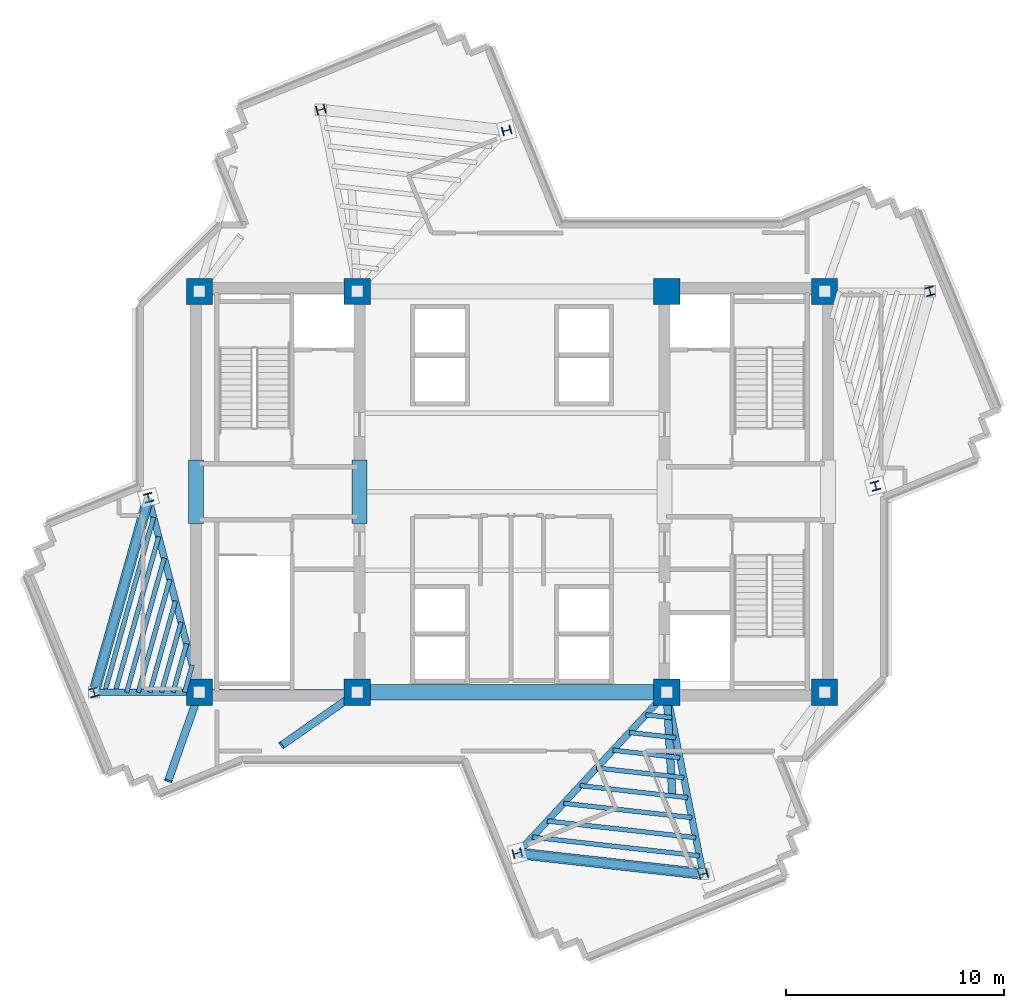
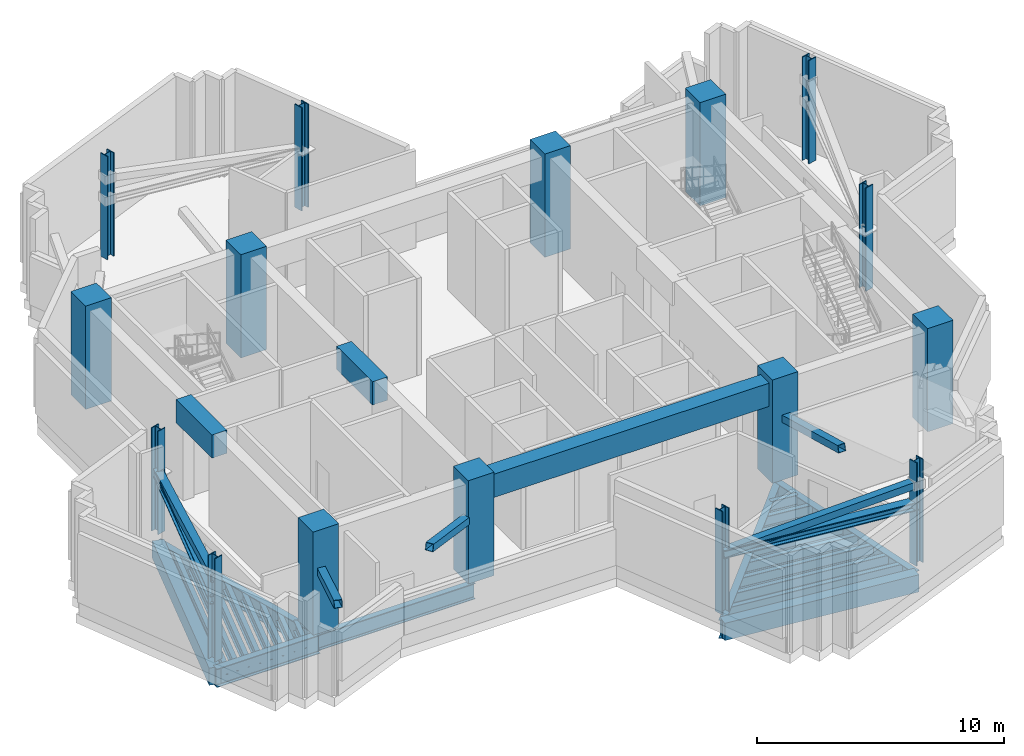
# One storey, part 1 of 11: 26 beams, 16 columns, 7 members.
"""IFC4 building model written with IfcOpenShell, lengths in metres."""

from ifc_helpers import new_model, si_unit, direction, frame, origin, origin_2d, place, context, subcontext, project, spatial, rectangle, hollow_rectangle, i_section, extrude, source, transform, mapped, material, material_profile, profile_set, type_object, element, save


model = new_model("IFC4")

# Units and contexts
model_context = context("Model", 3, precision=1e-05, world=origin(), true_north=direction((0.0, 1.0)))
body_context = subcontext(model_context, "Body", "Model", "MODEL_VIEW")
ifc_project = project(units=[si_unit("LENGTHUNIT", "METRE"), si_unit("AREAUNIT", "SQUARE_METRE"), si_unit("VOLUMEUNIT", "CUBIC_METRE"), si_unit("PLANEANGLEUNIT", "RADIAN"), si_unit("MASSUNIT", "GRAM", prefix="KILO")], contexts=[model_context])

# Site, building, storey
site_placement = place(None, origin())
site = spatial("IfcSite", under=ifc_project, at=site_placement, CompositionType="ELEMENT")
building_placement = place(site_placement, origin())
building = spatial("IfcBuilding", under=site, at=building_placement, Name="Zahravan Cultural Tower", CompositionType="ELEMENT")
storey_placement = place(building_placement, frame((0.0, 0.0, 229.199951171875)))
storey = spatial("IfcBuildingStorey", under=building, at=storey_placement, Name="L54", CompositionType="ELEMENT", Elevation=229.199951171875)

# Columns
ifc_material_1 = material(Name="Concrete C50/60", Category="concrete")
ifc_material_profile_1 = material_profile(ifc_material_1, rectangle(XDim=1.199951171875, YDim=1.199951171875, at=origin_2d()), Name="RC1200X1200")
ifc_profile_set_1 = profile_set([ifc_material_profile_1], Name="Concrete C50/60")
column_type_1 = type_object("IfcColumnType", Name="COL-RC1200", PredefinedType="COLUMN", material=ifc_profile_set_1)
shared_shape_1 = source(origin(), body_context, "Body", "SweptSolid", [
    extrude(rectangle(XDim=1.199951171875, YDim=1.199951171875, at=origin_2d()), origin(), (0.0, 0.0, 1.0), 5.10009765625),
])
for number, where, z_axis, x_axis, name in (
    (1, (21.64990234375, 17.800048828125, 0.0), (0.0, 0.0, 1.0), (1.0, 0.0, 0.0), "L54 Column CC-W1"),
    (2, (28.89990234375, 17.800048828125, 0.0), (0.0, 0.0, 1.0), (1.0, 0.0, 0.0), "L54 Column CC-W2"),
    (3, (21.64990234375, 36.199951171875, 0.0), (0.0, 0.0, 1.0), (1.0, 0.0, 0.0), "L54 Column CC-W3"),
    (4, (28.89990234375, 36.199951171875, 0.0), (0.0, 0.0, 1.0), (1.0, 0.0, 0.0), "L54 Column CC-W4"),
    (5, (43.10009765625, 17.800048828125, 0.0), (0.0, 0.0, 1.0), (1.0, 0.0, 0.0), "L54 Column CC-E1"),
    (6, (50.35009765625, 17.800048828125, 0.0), (0.0, 0.0, 1.0), (1.0, 0.0, 0.0), "L54 Column CC-E2"),
    (7, (43.10009765625, 36.199951171875, 0.0), (0.0, 0.0, 1.0), (1.0, 0.0, 0.0), "L54 Column CC-E3"),
    (8, (50.35009765625, 36.199951171875, 0.0), (0.0, 0.0, 1.0), (1.0, 0.0, 0.0), "L54 Column CC-E4"),
):
    element("IfcColumn", number, at=place(storey_placement, frame(where, z_axis=z_axis, x_axis=x_axis)), inside=storey, type_object=column_type_1, Name=name, PredefinedType="COLUMN", context=body_context, shape_type="MappedRepresentation", body=[
        mapped(shared_shape_1, transform((0.0, 0.0, 0.0), x_axis=(1.0, 0.0, 0.0), y_axis=(0.0, 1.0, 0.0), z_axis=(0.0, 0.0, 1.0), scale=1.0)),
    ])
ifc_material_2 = material(Name="Steel ASTM A992 Grade 50", Category="steel")
ifc_material_profile_2 = material_profile(ifc_material_2, i_section(OverallWidth=0.404052734375, OverallDepth=0.406982421875, WebThickness=0.027099609375, FlangeThickness=0.043701171875, FilletRadius=0.01806640625, at=origin_2d()), Name="W14X233")
ifc_profile_set_2 = profile_set([ifc_material_profile_2], Name="Steel ASTM A992 Grade 50")
column_type_2 = type_object("IfcColumnType", Name="COL-W14X233", PredefinedType="COLUMN", material=ifc_profile_set_2)
shared_shape_2 = source(origin(), body_context, "Body", "SweptSolid", [
    extrude(i_section(OverallWidth=0.404052734375, OverallDepth=0.406982421875, WebThickness=0.027099609375, FlangeThickness=0.043701171875, FilletRadius=0.01806640625, at=origin_2d()), origin(), (0.0, 0.0, 1.0), 5.10009765625),
])
for number, where, z_axis, x_axis, name in (
    (9, (52.684326171875, 27.27099609375, 0.0), (0.0, 0.0, 1.0), (0.966823388604, 0.255445757936, 0.0), "L54 Column Z2C-E1"),
    (10, (55.184814453125, 36.2060546875, 0.0), (0.0, 0.0, 1.0), (0.966823388604, 0.255445757936, 0.0), "L54 Column Z2C-E2"),
    (11, (35.754638671875, 43.587646484375, 0.0), (0.0, 0.0, 1.0), (-0.255445757936, 0.966823388604, 0.0), "L54 Column Z2C-N1"),
    (12, (27.22802734375, 44.541259765625, 0.0), (0.0, 0.0, 1.0), (-0.255445757936, 0.966823388604, 0.0), "L54 Column Z2C-N2"),
    (13, (19.315673828125, 26.72900390625, 0.0), (0.0, 0.0, 1.0), (0.966823388604, 0.255445757936, 0.0), "L54 Column Z2C-W1"),
    (14, (16.815185546875, 17.7939453125, 0.0), (0.0, 0.0, 1.0), (0.966823388604, 0.255445757936, 0.0), "L54 Column Z2C-W2"),
    (15, (36.245361328125, 10.412353515625, 0.0), (0.0, 0.0, 1.0), (-0.255445757936, 0.966823388604, 0.0), "L54 Column Z2C-S1"),
    (16, (44.77197265625, 9.458740234375, 0.0), (0.0, 0.0, 1.0), (-0.255445757936, 0.966823388604, 0.0), "L54 Column Z2C-S2"),
):
    element("IfcColumn", number, at=place(storey_placement, frame(where, z_axis=z_axis, x_axis=x_axis)), inside=storey, type_object=column_type_2, Name=name, PredefinedType="COLUMN", context=body_context, shape_type="MappedRepresentation", body=[
        mapped(shared_shape_2, transform((0.0, 0.0, 0.0), x_axis=(1.0, 0.0, 0.0), y_axis=(0.0, 1.0, 0.0), z_axis=(0.0, 0.0, 1.0), scale=1.0)),
    ])

# Beams
ifc_material_profile_3 = material_profile(ifc_material_1, rectangle(XDim=0.699951171875, YDim=1.14990234375, at=origin_2d()), Name="RC700X1150")
ifc_profile_set_3 = profile_set([ifc_material_profile_3], Name="Concrete C50/60")
beam_type_1 = type_object("IfcBeamType", Name="BM-LN-RC700X1150", PredefinedType="LINTEL", material=ifc_profile_set_3)
shared_shape_3 = source(origin(), body_context, "Body", "SweptSolid", [
    extrude(rectangle(XDim=0.699951171875, YDim=1.14990234375, at=origin_2d()), origin(), (0.0, 0.0, 1.0), 14.2001953125),
])
beam_1_placement = place(storey_placement, frame((28.89990234375, 17.800048828125, 4.22509765625), z_axis=(1.0, 0.0, 0.0), x_axis=(0.0, 1.0, 0.0)))
element("IfcBeam", 17, at=beam_1_placement, inside=storey, type_object=beam_type_1, Name="L54 Beam LN-L54-S", PredefinedType="LINTEL", context=body_context, shape_type="MappedRepresentation", body=[
    mapped(shared_shape_3, transform((0.0, 0.0, 0.0), x_axis=(1.0, 0.0, 0.0), y_axis=(0.0, 1.0, 0.0), z_axis=(0.0, 0.0, 1.0), scale=1.0)),
])
shared_shape_4 = source(origin(), body_context, "Body", "SweptSolid", [
    extrude(rectangle(XDim=0.699951171875, YDim=1.14990234375, at=origin_2d()), origin(), (0.0, 0.0, 1.0), 2.89990234375),
])
for number, where, z_axis, x_axis, name in (
    (18, (21.5, 25.550048828125, 4.22509765625), (0.0, 1.0, 0.0), (-1.0, 0.0, 0.0), "L54 Beam LN-L54-PWW"),
    (19, (29.0, 25.550048828125, 4.22509765625), (0.0, 1.0, 0.0), (-1.0, 0.0, 0.0), "L54 Beam LN-L54-PWE"),
):
    element("IfcBeam", number, at=place(storey_placement, frame(where, z_axis=z_axis, x_axis=x_axis)), inside=storey, type_object=beam_type_1, Name=name, PredefinedType="LINTEL", context=body_context, shape_type="MappedRepresentation", body=[
        mapped(shared_shape_4, transform((0.0, 0.0, 0.0), x_axis=(1.0, 0.0, 0.0), y_axis=(0.0, 1.0, 0.0), z_axis=(0.0, 0.0, 1.0), scale=1.0)),
    ])
ifc_material_profile_4 = material_profile(ifc_material_2, i_section(OverallWidth=0.26611328125, OverallDepth=0.780029296875, WebThickness=0.0166015625, FlangeThickness=0.030029296875, FilletRadius=0.01904296875, at=origin_2d()), Name="W30X148")
ifc_profile_set_4 = profile_set([ifc_material_profile_4], Name="Steel ASTM A992 Grade 50")
beam_type_2 = type_object("IfcBeamType", Name="BM-G-W30X148", PredefinedType="BEAM", material=ifc_profile_set_4)
shared_shape_5 = source(origin(), body_context, "Body", "SweptSolid", [
    extrude(i_section(OverallWidth=0.26611328125, OverallDepth=0.780029296875, WebThickness=0.0166015625, FlangeThickness=0.030029296875, FilletRadius=0.01904296875, at=origin_2d()), origin(), (0.0, 0.0, 1.0), 7.25),
])
beam_2_placement = place(storey_placement, frame((21.64990234375, 17.800048828125, -0.83984375), z_axis=(1.0, 0.0, 0.0), x_axis=(0.0, 1.0, 0.0)))
element("IfcBeam", 20, at=beam_2_placement, inside=storey, type_object=beam_type_2, Name="L54 Beam BG-L54-01", PredefinedType="BEAM", context=body_context, shape_type="MappedRepresentation", body=[
    mapped(shared_shape_5, transform((0.0, 0.0, 0.0), x_axis=(1.0, 0.0, 0.0), y_axis=(0.0, 1.0, 0.0), z_axis=(0.0, 0.0, 1.0), scale=1.0)),
])
ifc_material_profile_5 = material_profile(ifc_material_2, i_section(OverallWidth=0.304931640625, OverallDepth=0.9189453125, WebThickness=0.017333984375, FlangeThickness=0.02783203125, FilletRadius=0.02392578125, at=origin_2d()), Name="W36X170")
ifc_profile_set_5 = profile_set([ifc_material_profile_5], Name="Steel ASTM A992 Grade 50")
beam_type_3 = type_object("IfcBeamType", Name="BM-G-W36X170", PredefinedType="BEAM", material=ifc_profile_set_5)
shared_shape_6 = source(origin(), body_context, "Body", "SweptSolid", [
    extrude(i_section(OverallWidth=0.304931640625, OverallDepth=0.9189453125, WebThickness=0.017333984375, FlangeThickness=0.02783203125, FilletRadius=0.02392578125, at=origin_2d()), origin(), (0.0, 0.0, 1.0), 9.22900390625),
])
beam_3_placement = place(storey_placement, frame((21.64990234375, 17.800048828125, -0.909423828125), z_axis=(-0.252922608408, 0.967486513682, 0.0), x_axis=(-0.967486513682, -0.252922608408, 0.0)))
element("IfcBeam", 21, at=beam_3_placement, inside=storey, type_object=beam_type_3, Name="L54 Beam BG-L54-07", PredefinedType="BEAM", context=body_context, shape_type="MappedRepresentation", body=[
    mapped(shared_shape_6, transform((0.0, 0.0, 0.0), x_axis=(1.0, 0.0, 0.0), y_axis=(0.0, 1.0, 0.0), z_axis=(0.0, 0.0, 1.0), scale=1.0)),
])
shared_shape_7 = source(origin(), body_context, "Body", "SweptSolid", [
    extrude(i_section(OverallWidth=0.304931640625, OverallDepth=0.9189453125, WebThickness=0.017333984375, FlangeThickness=0.02783203125, FilletRadius=0.02392578125, at=origin_2d()), origin(), (0.0, 0.0, 1.0), 4.834716796875),
])
beam_4_placement = place(storey_placement, frame((21.64990234375, 17.800048828125, -0.909423828125), z_axis=(-0.99999920313, -0.001262433979, 0.0), x_axis=(0.001262433979, -0.99999920313, 0.0)))
element("IfcBeam", 22, at=beam_4_placement, inside=storey, type_object=beam_type_3, Name="L54 Beam BG-L54-08", PredefinedType="BEAM", context=body_context, shape_type="MappedRepresentation", body=[
    mapped(shared_shape_7, transform((0.0, 0.0, 0.0), x_axis=(1.0, 0.0, 0.0), y_axis=(0.0, 1.0, 0.0), z_axis=(0.0, 0.0, 1.0), scale=1.0)),
])
shared_shape_8 = source(origin(), body_context, "Body", "SweptSolid", [
    extrude(i_section(OverallWidth=0.304931640625, OverallDepth=0.9189453125, WebThickness=0.017333984375, FlangeThickness=0.02783203125, FilletRadius=0.02392578125, at=origin_2d()), origin(), (0.0, 0.0, 1.0), 10.077880859375),
])
beam_5_placement = place(storey_placement, frame((43.10009765625, 17.800048828125, -0.909423828125), z_axis=(-0.680170435587, -0.733054007938, 0.0), x_axis=(0.733054007938, -0.680170435587, 0.0)))
element("IfcBeam", 23, at=beam_5_placement, inside=storey, type_object=beam_type_3, Name="L54 Beam BG-L54-09", PredefinedType="BEAM", context=body_context, shape_type="MappedRepresentation", body=[
    mapped(shared_shape_8, transform((0.0, 0.0, 0.0), x_axis=(1.0, 0.0, 0.0), y_axis=(0.0, 1.0, 0.0), z_axis=(0.0, 0.0, 1.0), scale=1.0)),
])
shared_shape_9 = source(origin(), body_context, "Body", "SweptSolid", [
    extrude(i_section(OverallWidth=0.304931640625, OverallDepth=0.9189453125, WebThickness=0.017333984375, FlangeThickness=0.02783203125, FilletRadius=0.02392578125, at=origin_2d()), origin(), (0.0, 0.0, 1.0), 8.50732421875),
])
beam_6_placement = place(storey_placement, frame((43.10009765625, 17.800048828125, -0.909423828125), z_axis=(0.196524514012, -0.980498911469, 0.0), x_axis=(0.980498911469, 0.196524514012, 0.0)))
element("IfcBeam", 24, at=beam_6_placement, inside=storey, type_object=beam_type_3, Name="L54 Beam BG-L54-10", PredefinedType="BEAM", context=body_context, shape_type="MappedRepresentation", body=[
    mapped(shared_shape_9, transform((0.0, 0.0, 0.0), x_axis=(1.0, 0.0, 0.0), y_axis=(0.0, 1.0, 0.0), z_axis=(0.0, 0.0, 1.0), scale=1.0)),
])
ifc_material_profile_6 = material_profile(ifc_material_1, rectangle(XDim=0.5, YDim=0.85009765625, at=origin_2d()), Name="RC500X850")
ifc_profile_set_6 = profile_set([ifc_material_profile_6], Name="Concrete C50/60")
beam_type_4 = type_object("IfcBeamType", Name="BM-SP-RC500X850", PredefinedType="SPANDREL", material=ifc_profile_set_6)
shared_shape_10 = source(origin(), body_context, "Body", "SweptSolid", [
    extrude(rectangle(XDim=0.5, YDim=0.85009765625, at=origin_2d()), origin(), (0.0, 0.0, 1.0), 9.2783203125),
])
beam_7_placement = place(storey_placement, frame((19.315673828125, 26.72900390625, -0.875), z_axis=(-0.269497187032, -0.963001176625, 0.0), x_axis=(0.963001176625, -0.269497187032, 0.0)))
element("IfcBeam", 25, at=beam_7_placement, inside=storey, type_object=beam_type_4, Name="L54 Beam SP-L54-15", PredefinedType="SPANDREL", context=body_context, shape_type="MappedRepresentation", body=[
    mapped(shared_shape_10, transform((0.0, 0.0, 0.0), x_axis=(1.0, 0.0, 0.0), y_axis=(0.0, 1.0, 0.0), z_axis=(0.0, 0.0, 1.0), scale=1.0)),
])
shared_shape_11 = source(origin(), body_context, "Body", "SweptSolid", [
    extrude(rectangle(XDim=0.5, YDim=0.85009765625, at=origin_2d()), origin(), (0.0, 0.0, 1.0), 8.579833984375),
])
beam_8_placement = place(storey_placement, frame((36.245361328125, 10.412353515625, -0.875), z_axis=(0.9938040105, -0.11114669907, 0.0), x_axis=(0.11114669907, 0.9938040105, 0.0)))
element("IfcBeam", 26, at=beam_8_placement, inside=storey, type_object=beam_type_4, Name="L54 Beam SP-L54-16", PredefinedType="SPANDREL", context=body_context, shape_type="MappedRepresentation", body=[
    mapped(shared_shape_11, transform((0.0, 0.0, 0.0), x_axis=(1.0, 0.0, 0.0), y_axis=(0.0, 1.0, 0.0), z_axis=(0.0, 0.0, 1.0), scale=1.0)),
])
ifc_material_profile_7 = material_profile(ifc_material_2, i_section(OverallWidth=0.2099609375, OverallDepth=0.532958984375, WebThickness=0.01025390625, FlangeThickness=0.015625, FilletRadius=0.013916015625, at=origin_2d()), Name="W21X62")
ifc_profile_set_7 = profile_set([ifc_material_profile_7], Name="Steel ASTM A992 Grade 50")
beam_type_5 = type_object("IfcBeamType", Name="BM-J-W21X62", PredefinedType="JOIST", material=ifc_profile_set_7)
shared_shape_12 = source(origin(), body_context, "Body", "SweptSolid", [
    extrude(i_section(OverallWidth=0.2099609375, OverallDepth=0.532958984375, WebThickness=0.01025390625, FlangeThickness=0.015625, FilletRadius=0.013916015625, at=origin_2d()), origin(), (0.0, 0.0, 1.0), 1.299072265625),
])
beam_9_placement = place(storey_placement, frame((21.3232421875, 19.050048828125, -0.716552734375), z_axis=(-0.269504444708, -0.962999145525, 0.0), x_axis=(0.962999145525, -0.269504444708, 0.0)))
element("IfcBeam", 27, at=beam_9_placement, inside=storey, type_object=beam_type_5, Name="L54 Beam BJ-L54-22", PredefinedType="JOIST", context=body_context, shape_type="MappedRepresentation", body=[
    mapped(shared_shape_12, transform((0.0, 0.0, 0.0), x_axis=(1.0, 0.0, 0.0), y_axis=(0.0, 1.0, 0.0), z_axis=(0.0, 0.0, 1.0), scale=1.0)),
])
shared_shape_13 = source(origin(), body_context, "Body", "SweptSolid", [
    extrude(i_section(OverallWidth=0.2099609375, OverallDepth=0.532958984375, WebThickness=0.01025390625, FlangeThickness=0.015625, FilletRadius=0.013916015625, at=origin_2d()), origin(), (0.0, 0.0, 1.0), 2.3193359375),
])
beam_10_placement = place(storey_placement, frame((21.06640625, 20.0322265625, -0.716552734375), z_axis=(-0.269462038626, -0.963011012263, 0.0), x_axis=(0.963011012263, -0.269462038626, 0.0)))
element("IfcBeam", 28, at=beam_10_placement, inside=storey, type_object=beam_type_5, Name="L54 Beam BJ-L54-23", PredefinedType="JOIST", context=body_context, shape_type="MappedRepresentation", body=[
    mapped(shared_shape_13, transform((0.0, 0.0, 0.0), x_axis=(1.0, 0.0, 0.0), y_axis=(0.0, 1.0, 0.0), z_axis=(0.0, 0.0, 1.0), scale=1.0)),
])
shared_shape_14 = source(origin(), body_context, "Body", "SweptSolid", [
    extrude(i_section(OverallWidth=0.2099609375, OverallDepth=0.532958984375, WebThickness=0.01025390625, FlangeThickness=0.015625, FilletRadius=0.013916015625, at=origin_2d()), origin(), (0.0, 0.0, 1.0), 3.340087890625),
])
beam_11_placement = place(storey_placement, frame((20.809814453125, 21.014404296875, -0.716552734375), z_axis=(-0.269562146951, -0.962982995141, 0.0), x_axis=(0.962982995141, -0.269562146951, 0.0)))
element("IfcBeam", 29, at=beam_11_placement, inside=storey, type_object=beam_type_5, Name="L54 Beam BJ-L54-24", PredefinedType="JOIST", context=body_context, shape_type="MappedRepresentation", body=[
    mapped(shared_shape_14, transform((0.0, 0.0, 0.0), x_axis=(1.0, 0.0, 0.0), y_axis=(0.0, 1.0, 0.0), z_axis=(0.0, 0.0, 1.0), scale=1.0)),
])
shared_shape_15 = source(origin(), body_context, "Body", "SweptSolid", [
    extrude(i_section(OverallWidth=0.2099609375, OverallDepth=0.532958984375, WebThickness=0.01025390625, FlangeThickness=0.015625, FilletRadius=0.013916015625, at=origin_2d()), origin(), (0.0, 0.0, 1.0), 4.36083984375),
])
beam_12_placement = place(storey_placement, frame((20.552978515625, 21.99658203125, -0.716552734375), z_axis=(-0.269511557673, -0.962997154866, 0.0), x_axis=(0.962997154866, -0.269511557673, 0.0)))
element("IfcBeam", 30, at=beam_12_placement, inside=storey, type_object=beam_type_5, Name="L54 Beam BJ-L54-25", PredefinedType="JOIST", context=body_context, shape_type="MappedRepresentation", body=[
    mapped(shared_shape_15, transform((0.0, 0.0, 0.0), x_axis=(1.0, 0.0, 0.0), y_axis=(0.0, 1.0, 0.0), z_axis=(0.0, 0.0, 1.0), scale=1.0)),
])
shared_shape_16 = source(origin(), body_context, "Body", "SweptSolid", [
    extrude(i_section(OverallWidth=0.2099609375, OverallDepth=0.532958984375, WebThickness=0.01025390625, FlangeThickness=0.015625, FilletRadius=0.013916015625, at=origin_2d()), origin(), (0.0, 0.0, 1.0), 5.3818359375),
])
beam_13_placement = place(storey_placement, frame((20.296142578125, 22.97900390625, -0.716552734375), z_axis=(-0.269510454638, -0.962997463569, 0.0), x_axis=(0.962997463569, -0.269510454638, 0.0)))
element("IfcBeam", 31, at=beam_13_placement, inside=storey, type_object=beam_type_5, Name="L54 Beam BJ-L54-26", PredefinedType="JOIST", context=body_context, shape_type="MappedRepresentation", body=[
    mapped(shared_shape_16, transform((0.0, 0.0, 0.0), x_axis=(1.0, 0.0, 0.0), y_axis=(0.0, 1.0, 0.0), z_axis=(0.0, 0.0, 1.0), scale=1.0)),
])
shared_shape_17 = source(origin(), body_context, "Body", "SweptSolid", [
    extrude(i_section(OverallWidth=0.2099609375, OverallDepth=0.532958984375, WebThickness=0.01025390625, FlangeThickness=0.015625, FilletRadius=0.013916015625, at=origin_2d()), origin(), (0.0, 0.0, 1.0), 6.402099609375),
])
beam_14_placement = place(storey_placement, frame((20.039306640625, 23.961181640625, -0.716552734375), z_axis=(-0.269494133533, -0.963002031146, 0.0), x_axis=(0.963002031146, -0.269494133533, 0.0)))
element("IfcBeam", 32, at=beam_14_placement, inside=storey, type_object=beam_type_5, Name="L54 Beam BJ-L54-27", PredefinedType="JOIST", context=body_context, shape_type="MappedRepresentation", body=[
    mapped(shared_shape_17, transform((0.0, 0.0, 0.0), x_axis=(1.0, 0.0, 0.0), y_axis=(0.0, 1.0, 0.0), z_axis=(0.0, 0.0, 1.0), scale=1.0)),
])
shared_shape_18 = source(origin(), body_context, "Body", "SweptSolid", [
    extrude(i_section(OverallWidth=0.2099609375, OverallDepth=0.532958984375, WebThickness=0.01025390625, FlangeThickness=0.015625, FilletRadius=0.013916015625, at=origin_2d()), origin(), (0.0, 0.0, 1.0), 7.4228515625),
])
beam_15_placement = place(storey_placement, frame((19.78271484375, 24.943359375, -0.716552734375), z_axis=(-0.269504266128, -0.962999195503, 0.0), x_axis=(0.962999195503, -0.269504266128, 0.0)))
element("IfcBeam", 33, at=beam_15_placement, inside=storey, type_object=beam_type_5, Name="L54 Beam BJ-L54-28", PredefinedType="JOIST", context=body_context, shape_type="MappedRepresentation", body=[
    mapped(shared_shape_18, transform((0.0, 0.0, 0.0), x_axis=(1.0, 0.0, 0.0), y_axis=(0.0, 1.0, 0.0), z_axis=(0.0, 0.0, 1.0), scale=1.0)),
])
shared_shape_19 = source(origin(), body_context, "Body", "SweptSolid", [
    extrude(i_section(OverallWidth=0.2099609375, OverallDepth=0.532958984375, WebThickness=0.01025390625, FlangeThickness=0.015625, FilletRadius=0.013916015625, at=origin_2d()), origin(), (0.0, 0.0, 1.0), 8.350830078125),
])
beam_16_placement = place(storey_placement, frame((19.549072265625, 25.836181640625, -0.716552734375), z_axis=(-0.269496539555, -0.963001357822, 0.0), x_axis=(0.963001357822, -0.269496539555, 0.0)))
element("IfcBeam", 34, at=beam_16_placement, inside=storey, type_object=beam_type_5, Name="L54 Beam BJ-L54-29", PredefinedType="JOIST", context=body_context, shape_type="MappedRepresentation", body=[
    mapped(shared_shape_19, transform((0.0, 0.0, 0.0), x_axis=(1.0, 0.0, 0.0), y_axis=(0.0, 1.0, 0.0), z_axis=(0.0, 0.0, 1.0), scale=1.0)),
])
shared_shape_20 = source(origin(), body_context, "Body", "SweptSolid", [
    extrude(i_section(OverallWidth=0.2099609375, OverallDepth=0.532958984375, WebThickness=0.01025390625, FlangeThickness=0.015625, FilletRadius=0.013916015625, at=origin_2d()), origin(), (0.0, 0.0, 1.0), 1.201171875),
])
beam_17_placement = place(storey_placement, frame((42.140380859375, 16.765625, -0.716552734375), z_axis=(0.99379916149, -0.111190047317, 0.0), x_axis=(0.111190047317, 0.99379916149, 0.0)))
element("IfcBeam", 35, at=beam_17_placement, inside=storey, type_object=beam_type_5, Name="L54 Beam BJ-L54-30", PredefinedType="JOIST", context=body_context, shape_type="MappedRepresentation", body=[
    mapped(shared_shape_20, transform((0.0, 0.0, 0.0), x_axis=(1.0, 0.0, 0.0), y_axis=(0.0, 1.0, 0.0), z_axis=(0.0, 0.0, 1.0), scale=1.0)),
])
shared_shape_21 = source(origin(), body_context, "Body", "SweptSolid", [
    extrude(i_section(OverallWidth=0.2099609375, OverallDepth=0.532958984375, WebThickness=0.01025390625, FlangeThickness=0.015625, FilletRadius=0.013916015625, at=origin_2d()), origin(), (0.0, 0.0, 1.0), 2.144775390625),
])
beam_18_placement = place(storey_placement, frame((41.386474609375, 15.953125, -0.716552734375), z_axis=(0.993797370806, -0.111206051, 0.0), x_axis=(0.111206051, 0.993797370806, 0.0)))
element("IfcBeam", 36, at=beam_18_placement, inside=storey, type_object=beam_type_5, Name="L54 Beam BJ-L54-31", PredefinedType="JOIST", context=body_context, shape_type="MappedRepresentation", body=[
    mapped(shared_shape_21, transform((0.0, 0.0, 0.0), x_axis=(1.0, 0.0, 0.0), y_axis=(0.0, 1.0, 0.0), z_axis=(0.0, 0.0, 1.0), scale=1.0)),
])
shared_shape_22 = source(origin(), body_context, "Body", "SweptSolid", [
    extrude(i_section(OverallWidth=0.2099609375, OverallDepth=0.532958984375, WebThickness=0.01025390625, FlangeThickness=0.015625, FilletRadius=0.013916015625, at=origin_2d()), origin(), (0.0, 0.0, 1.0), 3.088623046875),
])
beam_19_placement = place(storey_placement, frame((40.63232421875, 15.140380859375, -0.716552734375), z_axis=(0.993805407368, -0.111134208443, 0.0), x_axis=(0.111134208443, 0.993805407368, 0.0)))
element("IfcBeam", 37, at=beam_19_placement, inside=storey, type_object=beam_type_5, Name="L54 Beam BJ-L54-32", PredefinedType="JOIST", context=body_context, shape_type="MappedRepresentation", body=[
    mapped(shared_shape_22, transform((0.0, 0.0, 0.0), x_axis=(1.0, 0.0, 0.0), y_axis=(0.0, 1.0, 0.0), z_axis=(0.0, 0.0, 1.0), scale=1.0)),
])
shared_shape_23 = source(origin(), body_context, "Body", "SweptSolid", [
    extrude(i_section(OverallWidth=0.2099609375, OverallDepth=0.532958984375, WebThickness=0.01025390625, FlangeThickness=0.015625, FilletRadius=0.013916015625, at=origin_2d()), origin(), (0.0, 0.0, 1.0), 4.0322265625),
])
beam_20_placement = place(storey_placement, frame((39.87841796875, 14.327880859375, -0.716552734375), z_axis=(0.993802245601, -0.11116247855, 0.0), x_axis=(0.11116247855, 0.993802245601, 0.0)))
element("IfcBeam", 38, at=beam_20_placement, inside=storey, type_object=beam_type_5, Name="L54 Beam BJ-L54-33", PredefinedType="JOIST", context=body_context, shape_type="MappedRepresentation", body=[
    mapped(shared_shape_23, transform((0.0, 0.0, 0.0), x_axis=(1.0, 0.0, 0.0), y_axis=(0.0, 1.0, 0.0), z_axis=(0.0, 0.0, 1.0), scale=1.0)),
])
shared_shape_24 = source(origin(), body_context, "Body", "SweptSolid", [
    extrude(i_section(OverallWidth=0.2099609375, OverallDepth=0.532958984375, WebThickness=0.01025390625, FlangeThickness=0.015625, FilletRadius=0.013916015625, at=origin_2d()), origin(), (0.0, 0.0, 1.0), 4.97607421875),
])
beam_21_placement = place(storey_placement, frame((39.124267578125, 13.51513671875, -0.716552734375), z_axis=(0.993806308517, -0.111126149723, 0.0), x_axis=(0.111126149723, 0.993806308517, 0.0)))
element("IfcBeam", 39, at=beam_21_placement, inside=storey, type_object=beam_type_5, Name="L54 Beam BJ-L54-34", PredefinedType="JOIST", context=body_context, shape_type="MappedRepresentation", body=[
    mapped(shared_shape_24, transform((0.0, 0.0, 0.0), x_axis=(1.0, 0.0, 0.0), y_axis=(0.0, 1.0, 0.0), z_axis=(0.0, 0.0, 1.0), scale=1.0)),
])
shared_shape_25 = source(origin(), body_context, "Body", "SweptSolid", [
    extrude(i_section(OverallWidth=0.2099609375, OverallDepth=0.532958984375, WebThickness=0.01025390625, FlangeThickness=0.015625, FilletRadius=0.013916015625, at=origin_2d()), origin(), (0.0, 0.0, 1.0), 5.919921875),
])
beam_22_placement = place(storey_placement, frame((38.370361328125, 12.70263671875, -0.716552734375), z_axis=(0.993804520866, -0.111142135602, 0.0), x_axis=(0.111142135602, 0.993804520866, 0.0)))
element("IfcBeam", 40, at=beam_22_placement, inside=storey, type_object=beam_type_5, Name="L54 Beam BJ-L54-35", PredefinedType="JOIST", context=body_context, shape_type="MappedRepresentation", body=[
    mapped(shared_shape_25, transform((0.0, 0.0, 0.0), x_axis=(1.0, 0.0, 0.0), y_axis=(0.0, 1.0, 0.0), z_axis=(0.0, 0.0, 1.0), scale=1.0)),
])
shared_shape_26 = source(origin(), body_context, "Body", "SweptSolid", [
    extrude(i_section(OverallWidth=0.2099609375, OverallDepth=0.532958984375, WebThickness=0.01025390625, FlangeThickness=0.015625, FilletRadius=0.013916015625, at=origin_2d()), origin(), (0.0, 0.0, 1.0), 6.86376953125),
])
beam_23_placement = place(storey_placement, frame((37.6162109375, 11.889892578125, -0.716552734375), z_axis=(0.993803224695, -0.111153725024, 0.0), x_axis=(0.111153725024, 0.993803224695, 0.0)))
element("IfcBeam", 41, at=beam_23_placement, inside=storey, type_object=beam_type_5, Name="L54 Beam BJ-L54-36", PredefinedType="JOIST", context=body_context, shape_type="MappedRepresentation", body=[
    mapped(shared_shape_26, transform((0.0, 0.0, 0.0), x_axis=(1.0, 0.0, 0.0), y_axis=(0.0, 1.0, 0.0), z_axis=(0.0, 0.0, 1.0), scale=1.0)),
])
shared_shape_27 = source(origin(), body_context, "Body", "SweptSolid", [
    extrude(i_section(OverallWidth=0.2099609375, OverallDepth=0.532958984375, WebThickness=0.01025390625, FlangeThickness=0.015625, FilletRadius=0.013916015625, at=origin_2d()), origin(), (0.0, 0.0, 1.0), 7.7216796875),
])
beam_24_placement = place(storey_placement, frame((36.930908203125, 11.151123046875, -0.716552734375), z_axis=(0.993805212115, -0.11113595446, 0.0), x_axis=(0.11113595446, 0.993805212115, 0.0)))
element("IfcBeam", 42, at=beam_24_placement, inside=storey, type_object=beam_type_5, Name="L54 Beam BJ-L54-37", PredefinedType="JOIST", context=body_context, shape_type="MappedRepresentation", body=[
    mapped(shared_shape_27, transform((0.0, 0.0, 0.0), x_axis=(1.0, 0.0, 0.0), y_axis=(0.0, 1.0, 0.0), z_axis=(0.0, 0.0, 1.0), scale=1.0)),
])

# Members
ifc_material_3 = material(Name="Steel ASTM A572 Grade 50", Category="steel")
ifc_material_profile_8 = material_profile(ifc_material_3, hollow_rectangle(XDim=0.35009765625, YDim=0.35009765625, WallThickness=0.01611328125, at=origin_2d()), Name="HSS350X350X16")
ifc_profile_set_8 = profile_set([ifc_material_profile_8], Name="Steel ASTM A572 Grade 50")
member_type_1 = type_object("IfcMemberType", Name="MB-BR-HSS350", PredefinedType="BRACE", material=ifc_profile_set_8)
shared_shape_28 = source(origin(), body_context, "Body", "SweptSolid", [
    extrude(hollow_rectangle(XDim=0.35009765625, YDim=0.35009765625, WallThickness=0.01611328125, at=origin_2d()), origin(), (0.0, 0.0, 1.0), 9.337646484375),
])
member_1_placement = place(storey_placement, frame((19.315673828125, 26.72900390625, 2.900146484375), z_axis=(-0.267788531599, -0.956895594558, 0.11242830364), x_axis=(0.963001176625, -0.269497187032, 0.0)))
element("IfcMember", 43, at=member_1_placement, inside=storey, type_object=member_type_1, Name="L54 Belt Truss Diagonal 01", PredefinedType="BRACE", context=body_context, shape_type="MappedRepresentation", body=[
    mapped(shared_shape_28, transform((0.0, 0.0, 0.0), x_axis=(1.0, 0.0, 0.0), y_axis=(0.0, 1.0, 0.0), z_axis=(0.0, 0.0, 1.0), scale=1.0)),
])
ifc_material_profile_9 = material_profile(ifc_material_2, i_section(OverallWidth=0.404052734375, OverallDepth=0.406982421875, WebThickness=0.027099609375, FlangeThickness=0.043701171875, FilletRadius=0.01806640625, at=origin_2d()), Name="W14X233")
ifc_profile_set_9 = profile_set([ifc_material_profile_9], Name="Steel ASTM A992 Grade 50")
member_type_2 = type_object("IfcMemberType", Name="MB-CH-W14X233", PredefinedType="CHORD", material=ifc_profile_set_9)
shared_shape_29 = source(origin(), body_context, "Body", "SweptSolid", [
    extrude(i_section(OverallWidth=0.404052734375, OverallDepth=0.406982421875, WebThickness=0.027099609375, FlangeThickness=0.043701171875, FilletRadius=0.01806640625, at=origin_2d()), origin(), (0.0, 0.0, 1.0), 9.2783203125),
])
member_2_placement = place(storey_placement, frame((19.315673828125, 26.72900390625, 2.900146484375), z_axis=(-0.269497187032, -0.963001176625, 0.0), x_axis=(0.963001176625, -0.269497187032, 0.0)))
element("IfcMember", 44, at=member_2_placement, inside=storey, type_object=member_type_2, Name="L54 Belt Truss Bottom Chord 01", PredefinedType="CHORD", context=body_context, shape_type="MappedRepresentation", body=[
    mapped(shared_shape_29, transform((0.0, 0.0, 0.0), x_axis=(1.0, 0.0, 0.0), y_axis=(0.0, 1.0, 0.0), z_axis=(0.0, 0.0, 1.0), scale=1.0)),
])
shared_shape_30 = source(origin(), body_context, "Body", "SweptSolid", [
    extrude(hollow_rectangle(XDim=0.35009765625, YDim=0.35009765625, WallThickness=0.01611328125, at=origin_2d()), origin(), (0.0, 0.0, 1.0), 8.643798828125),
])
member_3_placement = place(storey_placement, frame((36.245361328125, 10.412353515625, 2.900146484375), z_axis=(0.986447142983, -0.110323909534, 0.121452332565), x_axis=(0.11114669907, 0.9938040105, 0.0)))
element("IfcMember", 45, at=member_3_placement, inside=storey, type_object=member_type_1, Name="L54 Belt Truss Diagonal 02", PredefinedType="BRACE", context=body_context, shape_type="MappedRepresentation", body=[
    mapped(shared_shape_30, transform((0.0, 0.0, 0.0), x_axis=(1.0, 0.0, 0.0), y_axis=(0.0, 1.0, 0.0), z_axis=(0.0, 0.0, 1.0), scale=1.0)),
])
shared_shape_31 = source(origin(), body_context, "Body", "SweptSolid", [
    extrude(i_section(OverallWidth=0.404052734375, OverallDepth=0.406982421875, WebThickness=0.027099609375, FlangeThickness=0.043701171875, FilletRadius=0.01806640625, at=origin_2d()), origin(), (0.0, 0.0, 1.0), 8.579833984375),
])
member_4_placement = place(storey_placement, frame((36.245361328125, 10.412353515625, 2.900146484375), z_axis=(0.9938040105, -0.11114669907, 0.0), x_axis=(0.11114669907, 0.9938040105, 0.0)))
element("IfcMember", 46, at=member_4_placement, inside=storey, type_object=member_type_2, Name="L54 Belt Truss Bottom Chord 02", PredefinedType="CHORD", context=body_context, shape_type="MappedRepresentation", body=[
    mapped(shared_shape_31, transform((0.0, 0.0, 0.0), x_axis=(1.0, 0.0, 0.0), y_axis=(0.0, 1.0, 0.0), z_axis=(0.0, 0.0, 1.0), scale=1.0)),
])
shared_shape_32 = source(origin(), body_context, "Body", "SweptSolid", [
    extrude(hollow_rectangle(XDim=0.35009765625, YDim=0.35009765625, WallThickness=0.01611328125, at=origin_2d()), origin(), (0.0, 0.0, 1.0), 4.859130859375),
])
member_5_placement = place(storey_placement, frame((43.10009765625, 17.800048828125, 2.900146484375), z_axis=(0.052957728172, -0.974944741416, 0.216051452695), x_axis=(0.998527996152, 0.054238739845, 0.0)))
element("IfcMember", 47, at=member_5_placement, inside=storey, type_object=member_type_1, Name="L54 Outrigger Diagonal 08", PredefinedType="BRACE", context=body_context, shape_type="MappedRepresentation", body=[
    mapped(shared_shape_32, transform((0.0, 0.0, 0.0), x_axis=(1.0, 0.0, 0.0), y_axis=(0.0, 1.0, 0.0), z_axis=(0.0, 0.0, 1.0), scale=1.0)),
])
shared_shape_33 = source(origin(), body_context, "Body", "SweptSolid", [
    extrude(hollow_rectangle(XDim=0.35009765625, YDim=0.35009765625, WallThickness=0.01611328125, at=origin_2d()), origin(), (0.0, 0.0, 1.0), 4.37646484375),
])
member_6_placement = place(storey_placement, frame((28.89990234375, 17.800048828125, 2.900146484375), z_axis=(-0.79464522574, -0.557674153859, 0.239871847714), x_axis=(0.574445337365, -0.81854294596, 0.0)))
element("IfcMember", 48, at=member_6_placement, inside=storey, type_object=member_type_1, Name="L54 Outrigger Diagonal 07", PredefinedType="BRACE", context=body_context, shape_type="MappedRepresentation", body=[
    mapped(shared_shape_33, transform((0.0, 0.0, 0.0), x_axis=(1.0, 0.0, 0.0), y_axis=(0.0, 1.0, 0.0), z_axis=(0.0, 0.0, 1.0), scale=1.0)),
])
shared_shape_34 = source(origin(), body_context, "Body", "SweptSolid", [
    extrude(hollow_rectangle(XDim=0.35009765625, YDim=0.35009765625, WallThickness=0.01611328125, at=origin_2d()), origin(), (0.0, 0.0, 1.0), 4.437744140625),
])
member_7_placement = place(storey_placement, frame((21.64990234375, 17.800048828125, 2.900146484375), z_axis=(-0.322279423656, -0.916609333822, 0.236565640444), x_axis=(0.94338689031, -0.331694400302, 0.0)))
element("IfcMember", 49, at=member_7_placement, inside=storey, type_object=member_type_1, Name="L54 Outrigger Diagonal 12", PredefinedType="BRACE", context=body_context, shape_type="MappedRepresentation", body=[
    mapped(shared_shape_34, transform((0.0, 0.0, 0.0), x_axis=(1.0, 0.0, 0.0), y_axis=(0.0, 1.0, 0.0), z_axis=(0.0, 0.0, 1.0), scale=1.0)),
])

save(model, "model.ifc")
